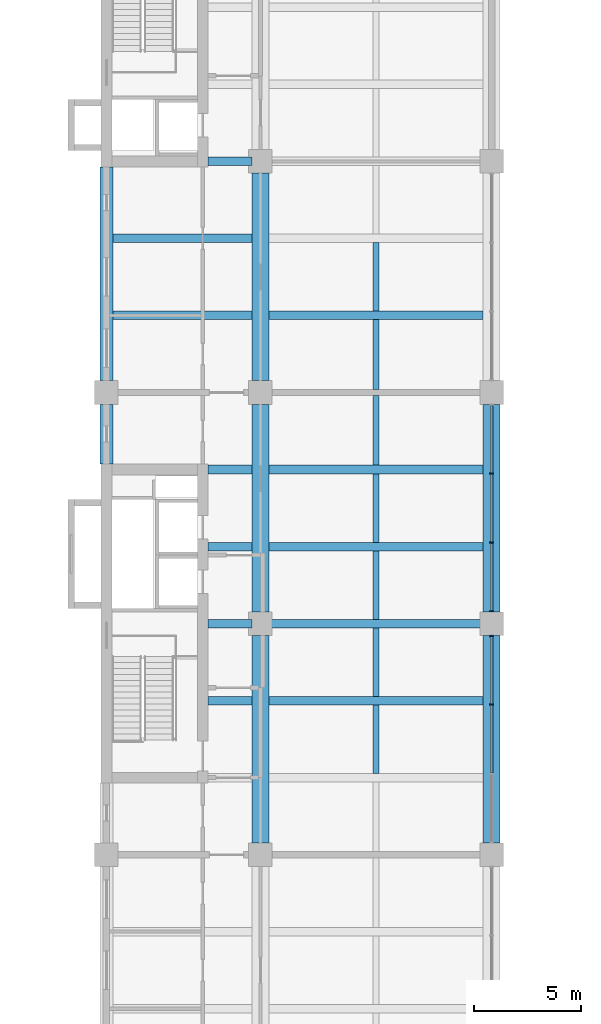
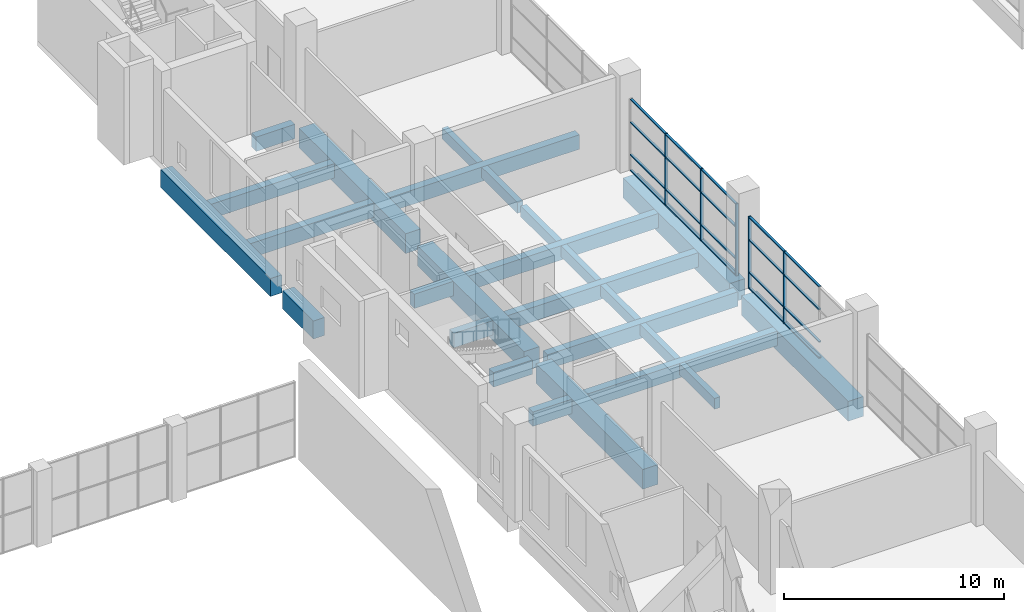
# One storey, part 5 of 33: 26 beams, 25 members, 2 elements without a shape of their own.
"""IFC4 building model written with IfcOpenShell, lengths in metres."""

from ifc_helpers import new_model, si_unit, direction, frame, origin, origin_2d, place, context, subcontext, project, spatial, rectangle, extrude, material, layer, layer_set, material_profile, profile_set, type_object, element, aggregate, save


model = new_model("IFC4")

# Units and contexts
model_context = context("Model", 3, precision=1e-05, world=origin(), true_north=direction((0.0, 1.0)))
body_context = subcontext(model_context, "Body", "Model", "MODEL_VIEW")
ifc_project = project(units=[si_unit("LENGTHUNIT", "METRE"), si_unit("AREAUNIT", "SQUARE_METRE"), si_unit("VOLUMEUNIT", "CUBIC_METRE"), si_unit("PLANEANGLEUNIT", "RADIAN"), si_unit("MASSUNIT", "GRAM", prefix="KILO")], contexts=[model_context])

# Site, building, storey
site_placement = place(None, origin())
site = spatial("IfcSite", under=ifc_project, at=site_placement, CompositionType="ELEMENT")
building_placement = place(site_placement, origin())
building = spatial("IfcBuilding", under=site, at=building_placement, Name="Basin Gate Institute", CompositionType="ELEMENT")
storey_placement = place(building_placement, frame((0.0, 0.0, 6.0)))
storey = spatial("IfcBuildingStorey", under=building, at=storey_placement, Name="L01", CompositionType="ELEMENT", Elevation=6.0)

# Beams
ifc_material_1 = material(Name="Concrete 40 MPa", Category="concrete")
ifc_material_profile_1 = material_profile(ifc_material_1, rectangle(XDim=0.39990234375, YDim=0.800048828125, at=origin_2d()), Name="Beam B2 400 x 800")
ifc_profile_set_1 = profile_set([ifc_material_profile_1], Name="Concrete 40 MPa")
beam_type_1 = type_object("IfcBeamType", Name="Beam B2 R180", PredefinedType="BEAM", material=ifc_profile_set_1)
beam_1_placement = place(storey_placement, frame((68.800048828125, 63.89990234375, -0.699951171875), z_axis=(1.0, 0.0, 0.0), x_axis=(0.0, 1.0, 0.0)))
element("IfcBeam", 1, at=beam_1_placement, inside=storey, type_object=beam_type_1, material=ifc_profile_set_1, Name="BEAM/L01/W/EW/09", PredefinedType="BEAM", context=body_context, shape_type="SweptSolid", body=[
    extrude(rectangle(XDim=0.39990234375, YDim=0.800048828125, at=origin_2d()), origin(), (0.0, 0.0, 1.0), 10.0),
])
beam_2_placement = place(storey_placement, frame((65.949951171875, 63.89990234375, -0.699951171875), z_axis=(1.0, 0.0, 0.0), x_axis=(0.0, 1.0, 0.0)))
element("IfcBeam", 2, at=beam_2_placement, inside=storey, type_object=beam_type_1, material=ifc_profile_set_1, Name="BEAM/L01/W/CORR/09", PredefinedType="BEAM", context=body_context, shape_type="SweptSolid", body=[
    extrude(rectangle(XDim=0.39990234375, YDim=0.800048828125, at=origin_2d()), origin(), (0.0, 0.0, 1.0), 2.050048828125),
])
beam_3_placement = place(storey_placement, frame((68.800048828125, 67.5, -0.699951171875), z_axis=(1.0, 0.0, 0.0), x_axis=(0.0, 1.0, 0.0)))
element("IfcBeam", 3, at=beam_3_placement, inside=storey, type_object=beam_type_1, material=ifc_profile_set_1, Name="BEAM/L01/W/EW/10", PredefinedType="BEAM", context=body_context, shape_type="SweptSolid", body=[
    extrude(rectangle(XDim=0.39990234375, YDim=0.800048828125, at=origin_2d()), origin(), (0.0, 0.0, 1.0), 10.0),
])
beam_4_placement = place(storey_placement, frame((65.949951171875, 67.5, -0.699951171875), z_axis=(1.0, 0.0, 0.0), x_axis=(0.0, 1.0, 0.0)))
element("IfcBeam", 4, at=beam_4_placement, inside=storey, type_object=beam_type_1, material=ifc_profile_set_1, Name="BEAM/L01/W/CORR/10", PredefinedType="BEAM", context=body_context, shape_type="SweptSolid", body=[
    extrude(rectangle(XDim=0.39990234375, YDim=0.800048828125, at=origin_2d()), origin(), (0.0, 0.0, 1.0), 2.050048828125),
])
beam_5_placement = place(storey_placement, frame((68.800048828125, 71.10009765625, -0.699951171875), z_axis=(1.0, 0.0, 0.0), x_axis=(0.0, 1.0, 0.0)))
element("IfcBeam", 5, at=beam_5_placement, inside=storey, type_object=beam_type_1, material=ifc_profile_set_1, Name="BEAM/L01/W/EW/11", PredefinedType="BEAM", context=body_context, shape_type="SweptSolid", body=[
    extrude(rectangle(XDim=0.39990234375, YDim=0.800048828125, at=origin_2d()), origin(), (0.0, 0.0, 1.0), 10.0),
])
beam_6_placement = place(storey_placement, frame((65.949951171875, 71.10009765625, -0.699951171875), z_axis=(1.0, 0.0, 0.0), x_axis=(0.0, 1.0, 0.0)))
element("IfcBeam", 6, at=beam_6_placement, inside=storey, type_object=beam_type_1, material=ifc_profile_set_1, Name="BEAM/L01/W/CORR/11", PredefinedType="BEAM", context=body_context, shape_type="SweptSolid", body=[
    extrude(rectangle(XDim=0.39990234375, YDim=0.800048828125, at=origin_2d()), origin(), (0.0, 0.0, 1.0), 2.050048828125),
])
beam_7_placement = place(storey_placement, frame((68.800048828125, 74.699951171875, -0.699951171875), z_axis=(1.0, 0.0, 0.0), x_axis=(0.0, 1.0, 0.0)))
element("IfcBeam", 7, at=beam_7_placement, inside=storey, type_object=beam_type_1, material=ifc_profile_set_1, Name="BEAM/L01/W/EW/12", PredefinedType="BEAM", context=body_context, shape_type="SweptSolid", body=[
    extrude(rectangle(XDim=0.39990234375, YDim=0.800048828125, at=origin_2d()), origin(), (0.0, 0.0, 1.0), 10.0),
])
beam_8_placement = place(storey_placement, frame((65.949951171875, 74.699951171875, -0.699951171875), z_axis=(1.0, 0.0, 0.0), x_axis=(0.0, 1.0, 0.0)))
element("IfcBeam", 8, at=beam_8_placement, inside=storey, type_object=beam_type_1, material=ifc_profile_set_1, Name="BEAM/L01/W/CORR/12", PredefinedType="BEAM", context=body_context, shape_type="SweptSolid", body=[
    extrude(rectangle(XDim=0.39990234375, YDim=0.800048828125, at=origin_2d()), origin(), (0.0, 0.0, 1.0), 2.050048828125),
])
beam_9_placement = place(storey_placement, frame((68.800048828125, 81.89990234375, -0.699951171875), z_axis=(1.0, 0.0, 0.0), x_axis=(0.0, 1.0, 0.0)))
element("IfcBeam", 9, at=beam_9_placement, inside=storey, type_object=beam_type_1, material=ifc_profile_set_1, Name="BEAM/L01/W/EW/14", PredefinedType="BEAM", context=body_context, shape_type="SweptSolid", body=[
    extrude(rectangle(XDim=0.39990234375, YDim=0.800048828125, at=origin_2d()), origin(), (0.0, 0.0, 1.0), 10.0),
])
for number, where, z_axis, x_axis, name in (
    (10, (61.5, 81.89990234375, -0.699951171875), (1.0, 0.0, 0.0), (0.0, 1.0, 0.0), "BEAM/L01/W/OUT/14"),
    (11, (61.5, 85.5, -0.699951171875), (1.0, 0.0, 0.0), (0.0, 1.0, 0.0), "BEAM/L01/W/OUT/15"),
):
    element("IfcBeam", number, at=place(storey_placement, frame(where, z_axis=z_axis, x_axis=x_axis)), inside=storey, type_object=beam_type_1, material=ifc_profile_set_1, Name=name, PredefinedType="BEAM", context=body_context, shape_type="SweptSolid", body=[
        extrude(rectangle(XDim=0.39990234375, YDim=0.800048828125, at=origin_2d()), origin(), (0.0, 0.0, 1.0), 6.5),
    ])
beam_10_placement = place(storey_placement, frame((65.949951171875, 89.10009765625, -0.699951171875), z_axis=(1.0, 0.0, 0.0), x_axis=(0.0, 1.0, 0.0)))
element("IfcBeam", 12, at=beam_10_placement, inside=storey, type_object=beam_type_1, material=ifc_profile_set_1, Name="BEAM/L01/W/CORR/16", PredefinedType="BEAM", context=body_context, shape_type="SweptSolid", body=[
    extrude(rectangle(XDim=0.39990234375, YDim=0.800048828125, at=origin_2d()), origin(), (0.0, 0.0, 1.0), 2.050048828125),
])
ifc_material_2 = material(Name="Concrete 50 MPa", Category="concrete")
ifc_material_profile_2 = material_profile(ifc_material_2, rectangle(XDim=0.60009765625, YDim=1.0, at=origin_2d()), Name="Edge beam EB2 600 x 1000")
ifc_profile_set_2 = profile_set([ifc_material_profile_2], Name="Concrete 50 MPa")
beam_type_2 = type_object("IfcBeamType", Name="Edge beam EB2 R180", PredefinedType="SPANDREL", material=ifc_profile_set_2)
beam_11_placement = place(storey_placement, frame((61.199951171875, 78.85009765625, -0.800048828125), z_axis=(0.0, 1.0, 0.0), x_axis=(-1.0, 0.0, 0.0)))
element("IfcBeam", 13, at=beam_11_placement, inside=storey, type_object=beam_type_2, material=ifc_profile_set_2, Name="BEAM/L01/W/EDGE/4", PredefinedType="SPANDREL", context=body_context, shape_type="SweptSolid", body=[
    extrude(rectangle(XDim=0.60009765625, YDim=1.0, at=origin_2d()), origin(), (0.0, 0.0, 1.0), 10.0),
])
ifc_material_3 = material(Name="Concrete 50 MPa", Category="concrete")
ifc_material_profile_3 = material_profile(ifc_material_3, rectangle(XDim=0.60009765625, YDim=1.0, at=origin_2d()), Name="Edge return beam EB4 600 x 1000")
ifc_profile_set_3 = profile_set([ifc_material_profile_3], Name="Concrete 50 MPa")
beam_type_3 = type_object("IfcBeamType", Name="Edge return beam EB4 R180", PredefinedType="SPANDREL", material=ifc_profile_set_3)
beam_12_placement = place(storey_placement, frame((61.199951171875, 74.949951171875, -0.800048828125), z_axis=(0.0, 1.0, 0.0), x_axis=(-1.0, 0.0, 0.0)))
element("IfcBeam", 14, at=beam_12_placement, inside=storey, type_object=beam_type_3, material=ifc_profile_set_3, Name="BEAM/L01/W/EDGE/3", PredefinedType="SPANDREL", context=body_context, shape_type="SweptSolid", body=[
    extrude(rectangle(XDim=0.60009765625, YDim=1.0, at=origin_2d()), origin(), (0.0, 0.0, 1.0), 2.800048828125),
])
ifc_material_4 = material(Name="Concrete 50 MPa", Category="concrete")
ifc_material_profile_4 = material_profile(ifc_material_4, rectangle(XDim=0.800048828125, YDim=1.10009765625, at=origin_2d()), Name="Girder G2 800 x 1100")
ifc_profile_set_4 = profile_set([ifc_material_profile_4], Name="Concrete 50 MPa")
beam_type_4 = type_object("IfcBeamType", Name="Girder G2 R180", PredefinedType="BEAM", material=ifc_profile_set_4)
for number, where, z_axis, x_axis, name in (
    (15, (68.39990234375, 57.25, -0.85009765625), (0.0, 1.0, 0.0), (-1.0, 0.0, 0.0), "GIR/L01/W5/3"),
    (16, (68.39990234375, 68.050048828125, -0.85009765625), (0.0, 1.0, 0.0), (-1.0, 0.0, 0.0), "GIR/L01/W5/4"),
    (17, (68.39990234375, 78.85009765625, -0.85009765625), (0.0, 1.0, 0.0), (-1.0, 0.0, 0.0), "GIR/L01/W5/5"),
    (18, (79.199951171875, 57.25, -0.85009765625), (0.0, 1.0, 0.0), (-1.0, 0.0, 0.0), "GIR/L01/W6/3"),
    (19, (79.199951171875, 68.050048828125, -0.85009765625), (0.0, 1.0, 0.0), (-1.0, 0.0, 0.0), "GIR/L01/W6/4"),
):
    element("IfcBeam", number, at=place(storey_placement, frame(where, z_axis=z_axis, x_axis=x_axis)), inside=storey, type_object=beam_type_4, material=ifc_profile_set_4, Name=name, PredefinedType="BEAM", context=body_context, shape_type="SweptSolid", body=[
        extrude(rectangle(XDim=0.800048828125, YDim=1.10009765625, at=origin_2d()), origin(), (0.0, 0.0, 1.0), 9.699951171875),
    ])

# Curtain wall, members
ifc_material_5 = material(Name="Fire-resistant glazing in steel-free frame", Category="steel")
ifc_layer = layer(ifc_material_5, 0.199951171875)
ifc_layer_set = layer_set([ifc_layer], Name="Fire-resistant glazing in steel-free frame")
curtain_wall_type = type_object("IfcCurtainWallType", Name="Atrium rated curtain wall CW3", PredefinedType="NOTDEFINED", material=ifc_layer_set)
curtain_wall_1_placement = place(storey_placement, origin())
curtain_wall_1 = element("IfcCurtainWall", 20, at=curtain_wall_1_placement, inside=storey, type_object=curtain_wall_type, material=ifc_layer_set, Name="Atrium rated curtain wall W wing atrium bay 3 L01", PredefinedType="NOTDEFINED")
ifc_material_6 = material(Name="Aluminium", Category="aluminium")
ifc_material_profile_5 = material_profile(ifc_material_6, rectangle(XDim=0.14990234375, YDim=0.06005859375, at=origin_2d()), Name="Mullion MU3 150 x 60")
ifc_profile_set_5 = profile_set([ifc_material_profile_5], Name="Aluminium")
member_type_1 = type_object("IfcMemberType", Name="Mullion MU3", PredefinedType="MULLION", material=ifc_profile_set_5)
member_1_placement = place(storey_placement, frame((79.199951171875, 63.716552734375, 0.0), z_axis=(0.0, 0.0, 1.0), x_axis=(-1.0, 0.0, 0.0)))
member_1 = element("IfcMember", 21, at=member_1_placement, type_object=member_type_1, material=ifc_profile_set_5, Name="CW3 mullion 3", PredefinedType="MULLION", context=body_context, shape_type="SweptSolid", body=[
    extrude(rectangle(XDim=0.14990234375, YDim=0.06005859375, at=origin_2d()), origin(), (0.0, 0.0, 1.0), 4.0),
])
member_2_placement = place(storey_placement, frame((79.199951171875, 66.919921875, 0.0), z_axis=(0.0, 0.0, 1.0), x_axis=(-1.0, 0.0, 0.0)))
member_2 = element("IfcMember", 22, at=member_2_placement, type_object=member_type_1, material=ifc_profile_set_5, Name="CW3 mullion 4", PredefinedType="MULLION", context=body_context, shape_type="SweptSolid", body=[
    extrude(rectangle(XDim=0.14990234375, YDim=0.06005859375, at=origin_2d()), origin(), (0.0, 0.0, 1.0), 4.0),
])

curtain_wall_2_placement = place(storey_placement, origin())
curtain_wall_2 = element("IfcCurtainWall", 23, at=curtain_wall_2_placement, inside=storey, type_object=curtain_wall_type, material=ifc_layer_set, Name="Atrium rated curtain wall W wing atrium bay 4 L01", PredefinedType="NOTDEFINED")
member_3_placement = place(storey_placement, frame((79.199951171875, 68.080078125, 0.0), z_axis=(0.0, 0.0, 1.0), x_axis=(-1.0, 0.0, 0.0)))
member_3 = element("IfcMember", 24, at=member_3_placement, type_object=member_type_1, material=ifc_profile_set_5, Name="CW3 mullion 1", PredefinedType="MULLION", context=body_context, shape_type="SweptSolid", body=[
    extrude(rectangle(XDim=0.14990234375, YDim=0.06005859375, at=origin_2d()), origin(), (0.0, 0.0, 1.0), 4.0),
])
member_4_placement = place(storey_placement, frame((79.199951171875, 71.283447265625, 0.0), z_axis=(0.0, 0.0, 1.0), x_axis=(-1.0, 0.0, 0.0)))
member_4 = element("IfcMember", 25, at=member_4_placement, type_object=member_type_1, material=ifc_profile_set_5, Name="CW3 mullion 2", PredefinedType="MULLION", context=body_context, shape_type="SweptSolid", body=[
    extrude(rectangle(XDim=0.14990234375, YDim=0.06005859375, at=origin_2d()), origin(), (0.0, 0.0, 1.0), 4.0),
])
member_5_placement = place(storey_placement, frame((79.199951171875, 74.5166015625, 0.0), z_axis=(0.0, 0.0, 1.0), x_axis=(-1.0, 0.0, 0.0)))
member_5 = element("IfcMember", 26, at=member_5_placement, type_object=member_type_1, material=ifc_profile_set_5, Name="CW3 mullion 3", PredefinedType="MULLION", context=body_context, shape_type="SweptSolid", body=[
    extrude(rectangle(XDim=0.14990234375, YDim=0.06005859375, at=origin_2d()), origin(), (0.0, 0.0, 1.0), 4.0),
])

# Beams
ifc_material_7 = material(Name="Concrete 40 MPa", Category="concrete")
ifc_material_profile_6 = material_profile(ifc_material_7, rectangle(XDim=0.300048828125, YDim=0.60009765625, at=origin_2d()), Name="Rib R2 300 x 600")
ifc_profile_set_6 = profile_set([ifc_material_profile_6], Name="Concrete 40 MPa")
beam_type_5 = type_object("IfcBeamType", Name="Rib R2 R180", PredefinedType="JOIST", material=ifc_profile_set_6)
for number, where, z_axis, x_axis, name in (
    (27, (73.800048828125, 60.5, -0.60009765625), (0.0, 1.0, 0.0), (-1.0, 0.0, 0.0), "BEAM/L01/W/RIB/08"),
    (28, (73.800048828125, 64.10009765625, -0.60009765625), (0.0, 1.0, 0.0), (-1.0, 0.0, 0.0), "BEAM/L01/W/RIB/09"),
    (29, (73.800048828125, 67.699951171875, -0.60009765625), (0.0, 1.0, 0.0), (-1.0, 0.0, 0.0), "BEAM/L01/W/RIB/10"),
    (30, (73.800048828125, 71.300048828125, -0.60009765625), (0.0, 1.0, 0.0), (-1.0, 0.0, 0.0), "BEAM/L01/W/RIB/11"),
):
    element("IfcBeam", number, at=place(storey_placement, frame(where, z_axis=z_axis, x_axis=x_axis)), inside=storey, type_object=beam_type_5, material=ifc_profile_set_6, Name=name, PredefinedType="JOIST", context=body_context, shape_type="SweptSolid", body=[
        extrude(rectangle(XDim=0.300048828125, YDim=0.60009765625, at=origin_2d()), origin(), (0.0, 0.0, 1.0), 3.199951171875),
    ])
for number, where, z_axis, x_axis, name in (
    (31, (73.800048828125, 74.89990234375, -0.60009765625), (0.0, 1.0, 0.0), (-1.0, 0.0, 0.0), "BEAM/L01/W/RIB/12"),
    (32, (73.800048828125, 78.449951171875, -0.60009765625), (0.0, 1.0, 0.0), (-1.0, 0.0, 0.0), "BEAM/L01/W/RIB/13"),
):
    element("IfcBeam", number, at=place(storey_placement, frame(where, z_axis=z_axis, x_axis=x_axis)), inside=storey, type_object=beam_type_5, material=ifc_profile_set_6, Name=name, PredefinedType="JOIST", context=body_context, shape_type="SweptSolid", body=[
        extrude(rectangle(XDim=0.300048828125, YDim=0.60009765625, at=origin_2d()), origin(), (0.0, 0.0, 1.0), 3.25),
    ])
beam_13_placement = place(storey_placement, frame((73.800048828125, 82.10009765625, -0.60009765625), z_axis=(0.0, 1.0, 0.0), x_axis=(-1.0, 0.0, 0.0)))
element("IfcBeam", 33, at=beam_13_placement, inside=storey, type_object=beam_type_5, material=ifc_profile_set_6, Name="BEAM/L01/W/RIB/14", PredefinedType="JOIST", context=body_context, shape_type="SweptSolid", body=[
    extrude(rectangle(XDim=0.300048828125, YDim=0.60009765625, at=origin_2d()), origin(), (0.0, 0.0, 1.0), 3.199951171875),
])

# Member
ifc_material_8 = material(Name="Aluminium", Category="aluminium")
ifc_material_profile_7 = material_profile(ifc_material_8, rectangle(XDim=0.1201171875, YDim=0.06005859375, at=origin_2d()), Name="Transom TR3 120 x 60")
ifc_profile_set_7 = profile_set([ifc_material_profile_7], Name="Aluminium")
member_type_2 = type_object("IfcMemberType", Name="Transom TR3", PredefinedType="USERDEFINED", material=ifc_profile_set_7)
member_6_placement = place(storey_placement, frame((79.199951171875, 60.513427734375, 0.030029296875), z_axis=(0.0, 1.0, 0.0), x_axis=(-1.0, 0.0, 0.0)))
member_6 = element("IfcMember", 34, at=member_6_placement, type_object=member_type_2, material=ifc_profile_set_7, Name="CW3 transom 2.1", ObjectType="TRANSOM", PredefinedType="USERDEFINED", context=body_context, shape_type="SweptSolid", body=[
    extrude(rectangle(XDim=0.1201171875, YDim=0.06005859375, at=origin_2d()), origin(), (0.0, 0.0, 1.0), 3.17333984375),
])

member_7_placement = place(storey_placement, frame((79.199951171875, 60.513427734375, 0.89990234375), z_axis=(0.0, 1.0, 0.0), x_axis=(-1.0, 0.0, 0.0)))
member_7 = element("IfcMember", 35, at=member_7_placement, type_object=member_type_2, material=ifc_profile_set_7, Name="CW3 transom 2.2", ObjectType="TRANSOM", PredefinedType="USERDEFINED", context=body_context, shape_type="SweptSolid", body=[
    extrude(rectangle(XDim=0.1201171875, YDim=0.06005859375, at=origin_2d()), origin(), (0.0, 0.0, 1.0), 3.17333984375),
])

member_8_placement = place(storey_placement, frame((79.199951171875, 60.513427734375, 2.699951171875), z_axis=(0.0, 1.0, 0.0), x_axis=(-1.0, 0.0, 0.0)))
member_8 = element("IfcMember", 36, at=member_8_placement, type_object=member_type_2, material=ifc_profile_set_7, Name="CW3 transom 2.3", ObjectType="TRANSOM", PredefinedType="USERDEFINED", context=body_context, shape_type="SweptSolid", body=[
    extrude(rectangle(XDim=0.1201171875, YDim=0.06005859375, at=origin_2d()), origin(), (0.0, 0.0, 1.0), 3.17333984375),
])

member_9_placement = place(storey_placement, frame((79.199951171875, 60.513427734375, 3.969970703125), z_axis=(0.0, 1.0, 0.0), x_axis=(-1.0, 0.0, 0.0)))
member_9 = element("IfcMember", 37, at=member_9_placement, type_object=member_type_2, material=ifc_profile_set_7, Name="CW3 transom 2.4", ObjectType="TRANSOM", PredefinedType="USERDEFINED", context=body_context, shape_type="SweptSolid", body=[
    extrude(rectangle(XDim=0.1201171875, YDim=0.06005859375, at=origin_2d()), origin(), (0.0, 0.0, 1.0), 3.17333984375),
])

member_10_placement = place(storey_placement, frame((79.199951171875, 63.74658203125, 0.030029296875), z_axis=(0.0, 1.0, 0.0), x_axis=(-1.0, 0.0, 0.0)))
member_10 = element("IfcMember", 38, at=member_10_placement, type_object=member_type_2, material=ifc_profile_set_7, Name="CW3 transom 3.1", ObjectType="TRANSOM", PredefinedType="USERDEFINED", context=body_context, shape_type="SweptSolid", body=[
    extrude(rectangle(XDim=0.1201171875, YDim=0.06005859375, at=origin_2d()), origin(), (0.0, 0.0, 1.0), 3.143310546875),
])

member_11_placement = place(storey_placement, frame((79.199951171875, 63.74658203125, 0.89990234375), z_axis=(0.0, 1.0, 0.0), x_axis=(-1.0, 0.0, 0.0)))
member_11 = element("IfcMember", 39, at=member_11_placement, type_object=member_type_2, material=ifc_profile_set_7, Name="CW3 transom 3.2", ObjectType="TRANSOM", PredefinedType="USERDEFINED", context=body_context, shape_type="SweptSolid", body=[
    extrude(rectangle(XDim=0.1201171875, YDim=0.06005859375, at=origin_2d()), origin(), (0.0, 0.0, 1.0), 3.143310546875),
])

member_12_placement = place(storey_placement, frame((79.199951171875, 63.74658203125, 2.699951171875), z_axis=(0.0, 1.0, 0.0), x_axis=(-1.0, 0.0, 0.0)))
member_12 = element("IfcMember", 40, at=member_12_placement, type_object=member_type_2, material=ifc_profile_set_7, Name="CW3 transom 3.3", ObjectType="TRANSOM", PredefinedType="USERDEFINED", context=body_context, shape_type="SweptSolid", body=[
    extrude(rectangle(XDim=0.1201171875, YDim=0.06005859375, at=origin_2d()), origin(), (0.0, 0.0, 1.0), 3.143310546875),
])

member_13_placement = place(storey_placement, frame((79.199951171875, 63.74658203125, 3.969970703125), z_axis=(0.0, 1.0, 0.0), x_axis=(-1.0, 0.0, 0.0)))
member_13 = element("IfcMember", 41, at=member_13_placement, type_object=member_type_2, material=ifc_profile_set_7, Name="CW3 transom 3.4", ObjectType="TRANSOM", PredefinedType="USERDEFINED", context=body_context, shape_type="SweptSolid", body=[
    extrude(rectangle(XDim=0.1201171875, YDim=0.06005859375, at=origin_2d()), origin(), (0.0, 0.0, 1.0), 3.143310546875),
])

aggregate(curtain_wall_1, [member_1, member_2, member_6, member_7, member_8, member_9, member_10, member_11, member_12, member_13])

member_14_placement = place(storey_placement, frame((79.199951171875, 68.110107421875, 0.030029296875), z_axis=(0.0, 1.0, 0.0), x_axis=(-1.0, 0.0, 0.0)))
member_14 = element("IfcMember", 42, at=member_14_placement, type_object=member_type_2, material=ifc_profile_set_7, Name="CW3 transom 1.1", ObjectType="TRANSOM", PredefinedType="USERDEFINED", context=body_context, shape_type="SweptSolid", body=[
    extrude(rectangle(XDim=0.1201171875, YDim=0.06005859375, at=origin_2d()), origin(), (0.0, 0.0, 1.0), 3.143310546875),
])

member_15_placement = place(storey_placement, frame((79.199951171875, 68.110107421875, 0.89990234375), z_axis=(0.0, 1.0, 0.0), x_axis=(-1.0, 0.0, 0.0)))
member_15 = element("IfcMember", 43, at=member_15_placement, type_object=member_type_2, material=ifc_profile_set_7, Name="CW3 transom 1.2", ObjectType="TRANSOM", PredefinedType="USERDEFINED", context=body_context, shape_type="SweptSolid", body=[
    extrude(rectangle(XDim=0.1201171875, YDim=0.06005859375, at=origin_2d()), origin(), (0.0, 0.0, 1.0), 3.143310546875),
])

member_16_placement = place(storey_placement, frame((79.199951171875, 68.110107421875, 2.699951171875), z_axis=(0.0, 1.0, 0.0), x_axis=(-1.0, 0.0, 0.0)))
member_16 = element("IfcMember", 44, at=member_16_placement, type_object=member_type_2, material=ifc_profile_set_7, Name="CW3 transom 1.3", ObjectType="TRANSOM", PredefinedType="USERDEFINED", context=body_context, shape_type="SweptSolid", body=[
    extrude(rectangle(XDim=0.1201171875, YDim=0.06005859375, at=origin_2d()), origin(), (0.0, 0.0, 1.0), 3.143310546875),
])

member_17_placement = place(storey_placement, frame((79.199951171875, 68.110107421875, 3.969970703125), z_axis=(0.0, 1.0, 0.0), x_axis=(-1.0, 0.0, 0.0)))
member_17 = element("IfcMember", 45, at=member_17_placement, type_object=member_type_2, material=ifc_profile_set_7, Name="CW3 transom 1.4", ObjectType="TRANSOM", PredefinedType="USERDEFINED", context=body_context, shape_type="SweptSolid", body=[
    extrude(rectangle(XDim=0.1201171875, YDim=0.06005859375, at=origin_2d()), origin(), (0.0, 0.0, 1.0), 3.143310546875),
])

member_18_placement = place(storey_placement, frame((79.199951171875, 71.313232421875, 0.030029296875), z_axis=(0.0, 1.0, 0.0), x_axis=(-1.0, 0.0, 0.0)))
member_18 = element("IfcMember", 46, at=member_18_placement, type_object=member_type_2, material=ifc_profile_set_7, Name="CW3 transom 2.1", ObjectType="TRANSOM", PredefinedType="USERDEFINED", context=body_context, shape_type="SweptSolid", body=[
    extrude(rectangle(XDim=0.1201171875, YDim=0.06005859375, at=origin_2d()), origin(), (0.0, 0.0, 1.0), 3.17333984375),
])

member_19_placement = place(storey_placement, frame((79.199951171875, 71.313232421875, 0.89990234375), z_axis=(0.0, 1.0, 0.0), x_axis=(-1.0, 0.0, 0.0)))
member_19 = element("IfcMember", 47, at=member_19_placement, type_object=member_type_2, material=ifc_profile_set_7, Name="CW3 transom 2.2", ObjectType="TRANSOM", PredefinedType="USERDEFINED", context=body_context, shape_type="SweptSolid", body=[
    extrude(rectangle(XDim=0.1201171875, YDim=0.06005859375, at=origin_2d()), origin(), (0.0, 0.0, 1.0), 3.17333984375),
])

member_20_placement = place(storey_placement, frame((79.199951171875, 71.313232421875, 2.699951171875), z_axis=(0.0, 1.0, 0.0), x_axis=(-1.0, 0.0, 0.0)))
member_20 = element("IfcMember", 48, at=member_20_placement, type_object=member_type_2, material=ifc_profile_set_7, Name="CW3 transom 2.3", ObjectType="TRANSOM", PredefinedType="USERDEFINED", context=body_context, shape_type="SweptSolid", body=[
    extrude(rectangle(XDim=0.1201171875, YDim=0.06005859375, at=origin_2d()), origin(), (0.0, 0.0, 1.0), 3.17333984375),
])

member_21_placement = place(storey_placement, frame((79.199951171875, 71.313232421875, 3.969970703125), z_axis=(0.0, 1.0, 0.0), x_axis=(-1.0, 0.0, 0.0)))
member_21 = element("IfcMember", 49, at=member_21_placement, type_object=member_type_2, material=ifc_profile_set_7, Name="CW3 transom 2.4", ObjectType="TRANSOM", PredefinedType="USERDEFINED", context=body_context, shape_type="SweptSolid", body=[
    extrude(rectangle(XDim=0.1201171875, YDim=0.06005859375, at=origin_2d()), origin(), (0.0, 0.0, 1.0), 3.17333984375),
])

member_22_placement = place(storey_placement, frame((79.199951171875, 74.546630859375, 0.030029296875), z_axis=(0.0, 1.0, 0.0), x_axis=(-1.0, 0.0, 0.0)))
member_22 = element("IfcMember", 50, at=member_22_placement, type_object=member_type_2, material=ifc_profile_set_7, Name="CW3 transom 3.1", ObjectType="TRANSOM", PredefinedType="USERDEFINED", context=body_context, shape_type="SweptSolid", body=[
    extrude(rectangle(XDim=0.1201171875, YDim=0.06005859375, at=origin_2d()), origin(), (0.0, 0.0, 1.0), 3.143310546875),
])

member_23_placement = place(storey_placement, frame((79.199951171875, 74.546630859375, 0.89990234375), z_axis=(0.0, 1.0, 0.0), x_axis=(-1.0, 0.0, 0.0)))
member_23 = element("IfcMember", 51, at=member_23_placement, type_object=member_type_2, material=ifc_profile_set_7, Name="CW3 transom 3.2", ObjectType="TRANSOM", PredefinedType="USERDEFINED", context=body_context, shape_type="SweptSolid", body=[
    extrude(rectangle(XDim=0.1201171875, YDim=0.06005859375, at=origin_2d()), origin(), (0.0, 0.0, 1.0), 3.143310546875),
])

member_24_placement = place(storey_placement, frame((79.199951171875, 74.546630859375, 2.699951171875), z_axis=(0.0, 1.0, 0.0), x_axis=(-1.0, 0.0, 0.0)))
member_24 = element("IfcMember", 52, at=member_24_placement, type_object=member_type_2, material=ifc_profile_set_7, Name="CW3 transom 3.3", ObjectType="TRANSOM", PredefinedType="USERDEFINED", context=body_context, shape_type="SweptSolid", body=[
    extrude(rectangle(XDim=0.1201171875, YDim=0.06005859375, at=origin_2d()), origin(), (0.0, 0.0, 1.0), 3.143310546875),
])

member_25_placement = place(storey_placement, frame((79.199951171875, 74.546630859375, 3.969970703125), z_axis=(0.0, 1.0, 0.0), x_axis=(-1.0, 0.0, 0.0)))
member_25 = element("IfcMember", 53, at=member_25_placement, type_object=member_type_2, material=ifc_profile_set_7, Name="CW3 transom 3.4", ObjectType="TRANSOM", PredefinedType="USERDEFINED", context=body_context, shape_type="SweptSolid", body=[
    extrude(rectangle(XDim=0.1201171875, YDim=0.06005859375, at=origin_2d()), origin(), (0.0, 0.0, 1.0), 3.143310546875),
])

aggregate(curtain_wall_2, [member_3, member_4, member_5, member_14, member_15, member_16, member_17, member_18, member_19, member_20, member_21, member_22, member_23, member_24, member_25])

save(model, "model.ifc")
